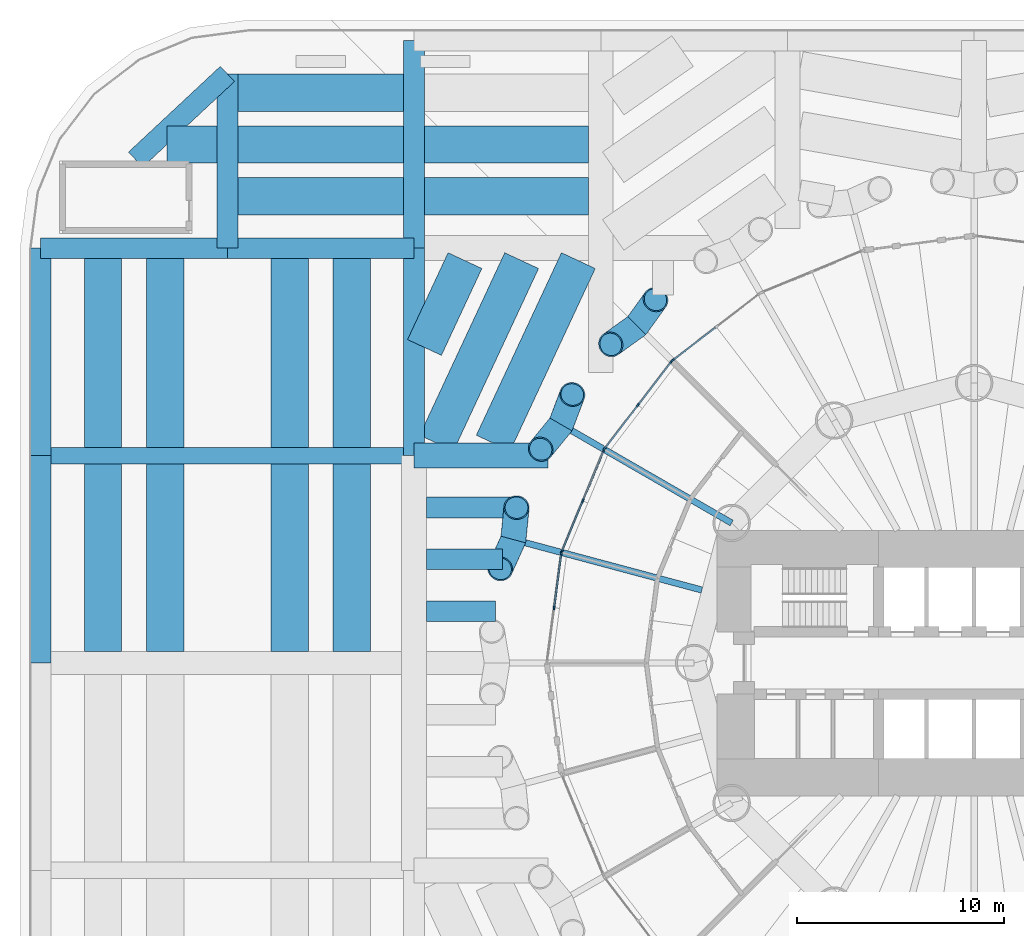
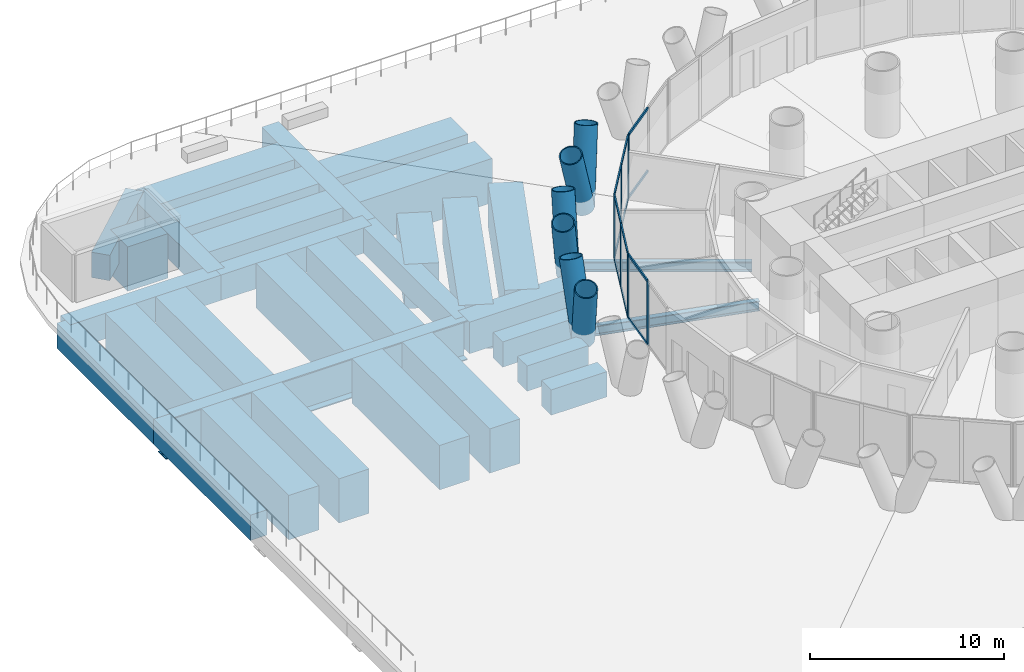
# One storey, part 5 of 19: 32 beams, 27 members, 4 elements without a shape of their own.
"""IFC4 building model written with IfcOpenShell, lengths in metres."""

from ifc_helpers import new_model, si_unit, direction, frame, origin, origin_2d, place, context, subcontext, project, spatial, rectangle, hollow_circle, i_section, extrude, material, material_profile, profile_set, type_object, element, aggregate, save


model = new_model("IFC4")

# Units and contexts
model_context = context("Model", 3, precision=1e-05, world=origin(), true_north=direction((0.0, 1.0)))
body_context = subcontext(model_context, "Body", "Model", "MODEL_VIEW")
ifc_project = project(units=[si_unit("LENGTHUNIT", "METRE"), si_unit("AREAUNIT", "SQUARE_METRE"), si_unit("VOLUMEUNIT", "CUBIC_METRE"), si_unit("PLANEANGLEUNIT", "RADIAN"), si_unit("MASSUNIT", "GRAM", prefix="KILO")], contexts=[model_context])

# Site, building, storey
site_placement = place(None, origin())
site = spatial("IfcSite", under=ifc_project, at=site_placement, CompositionType="ELEMENT")
building_placement = place(site_placement, origin())
building = spatial("IfcBuilding", under=site, at=building_placement, Name="Qaws Media Tower", CompositionType="ELEMENT")
storey_placement = place(building_placement, frame((0.0, 0.0, 26.0)))
storey = spatial("IfcBuildingStorey", under=building, at=storey_placement, Name="L04", CompositionType="ELEMENT", Elevation=26.0)

# Curtain wall, member
ifc_material_1 = material(Name="Aluminium and clear glass", Category="aluminium")
curtain_wall_type = type_object("IfcCurtainWallType", Name="Unitised curtain wall CW-A", PredefinedType="NOTDEFINED", material=ifc_material_1)
curtain_wall_1_placement = place(storey_placement, origin())
curtain_wall_1 = element("IfcCurtainWall", 1, at=curtain_wall_1_placement, inside=storey, type_object=curtain_wall_type, Name="CWA curtain wall L04-09", PredefinedType="NOTDEFINED")
ifc_material_2 = material(Name="Aluminium mullion", Category="aluminium")
ifc_material_profile_1 = material_profile(ifc_material_2, rectangle(XDim=0.080078125, YDim=0.199951171875, at=origin_2d()), Name="80x200")
ifc_profile_set_1 = profile_set([ifc_material_profile_1], Name="Aluminium mullion")
member_type_1 = type_object("IfcMemberType", Name="Curtain wall mullion 80x200", PredefinedType="MULLION", material=ifc_profile_set_1)
member_1_placement = place(storey_placement, frame((45.46533203125, 64.5908203125, 0.0), z_axis=(0.0, 0.0, 1.0), x_axis=(0.608761328178, -0.793353417662, 0.0)))
member_1 = element("IfcMember", 2, at=member_1_placement, type_object=member_type_1, Name="CWA mullion 3", PredefinedType="MULLION", context=body_context, shape_type="SweptSolid", body=[
    extrude(rectangle(XDim=0.080078125, YDim=0.199951171875, at=origin_2d()), origin(), (0.0, 0.0, 1.0), 4.0400390625),
])

# Curtain wall, members
curtain_wall_2_placement = place(storey_placement, origin())
curtain_wall_2 = element("IfcCurtainWall", 3, at=curtain_wall_2_placement, inside=storey, type_object=curtain_wall_type, Name="CWA curtain wall L04-10", PredefinedType="NOTDEFINED")
member_2_placement = place(storey_placement, frame((45.4091796875, 64.53466796875, 0.0), z_axis=(0.0, 0.0, 1.0), x_axis=(0.793353417662, -0.608761328178, 0.0)))
member_2 = element("IfcMember", 4, at=member_2_placement, type_object=member_type_1, Name="CWA mullion 1", PredefinedType="MULLION", context=body_context, shape_type="SweptSolid", body=[
    extrude(rectangle(XDim=0.080078125, YDim=0.199951171875, at=origin_2d()), origin(), (0.0, 0.0, 1.0), 4.0400390625),
])
member_3_placement = place(storey_placement, frame((43.796630859375, 62.43310546875, 0.0), z_axis=(0.0, 0.0, 1.0), x_axis=(0.793353417662, -0.608761328178, 0.0)))
member_3 = element("IfcMember", 5, at=member_3_placement, type_object=member_type_1, Name="CWA mullion 2", PredefinedType="MULLION", context=body_context, shape_type="SweptSolid", body=[
    extrude(rectangle(XDim=0.080078125, YDim=0.199951171875, at=origin_2d()), origin(), (0.0, 0.0, 1.0), 4.0400390625),
])
member_4_placement = place(storey_placement, frame((42.184326171875, 60.331787109375, 0.0), z_axis=(0.0, 0.0, 1.0), x_axis=(0.793353417662, -0.608761328178, 0.0)))
member_4 = element("IfcMember", 6, at=member_4_placement, type_object=member_type_1, Name="CWA mullion 3", PredefinedType="MULLION", context=body_context, shape_type="SweptSolid", body=[
    extrude(rectangle(XDim=0.080078125, YDim=0.199951171875, at=origin_2d()), origin(), (0.0, 0.0, 1.0), 4.0400390625),
])

curtain_wall_3_placement = place(storey_placement, origin())
curtain_wall_3 = element("IfcCurtainWall", 7, at=curtain_wall_3_placement, inside=storey, type_object=curtain_wall_type, Name="CWA curtain wall L04-11", PredefinedType="NOTDEFINED")
member_5_placement = place(storey_placement, frame((42.14453125, 60.262939453125, 0.0), z_axis=(0.0, 0.0, 1.0), x_axis=(0.923879521985, -0.382683457778, 0.0)))
member_5 = element("IfcMember", 8, at=member_5_placement, type_object=member_type_1, Name="CWA mullion 1", PredefinedType="MULLION", context=body_context, shape_type="SweptSolid", body=[
    extrude(rectangle(XDim=0.080078125, YDim=0.199951171875, at=origin_2d()), origin(), (0.0, 0.0, 1.0), 4.0400390625),
])
member_6_placement = place(storey_placement, frame((41.130859375, 57.81591796875, 0.0), z_axis=(0.0, 0.0, 1.0), x_axis=(0.923879521985, -0.382683457778, 0.0)))
member_6 = element("IfcMember", 9, at=member_6_placement, type_object=member_type_1, Name="CWA mullion 2", PredefinedType="MULLION", context=body_context, shape_type="SweptSolid", body=[
    extrude(rectangle(XDim=0.080078125, YDim=0.199951171875, at=origin_2d()), origin(), (0.0, 0.0, 1.0), 4.0400390625),
])
member_7_placement = place(storey_placement, frame((40.1171875, 55.36865234375, 0.0), z_axis=(0.0, 0.0, 1.0), x_axis=(0.923879521985, -0.382683457778, 0.0)))
member_7 = element("IfcMember", 10, at=member_7_placement, type_object=member_type_1, Name="CWA mullion 3", PredefinedType="MULLION", context=body_context, shape_type="SweptSolid", body=[
    extrude(rectangle(XDim=0.080078125, YDim=0.199951171875, at=origin_2d()), origin(), (0.0, 0.0, 1.0), 4.0400390625),
])

curtain_wall_4_placement = place(storey_placement, origin())
curtain_wall_4 = element("IfcCurtainWall", 11, at=curtain_wall_4_placement, inside=storey, type_object=curtain_wall_type, Name="CWA curtain wall L04-12", PredefinedType="NOTDEFINED")
member_8_placement = place(storey_placement, frame((40.0966796875, 55.2919921875, 0.0), z_axis=(0.0, 0.0, 1.0), x_axis=(0.991444859813, -0.130526204073, 0.0)))
member_8 = element("IfcMember", 12, at=member_8_placement, type_object=member_type_1, Name="CWA mullion 1", PredefinedType="MULLION", context=body_context, shape_type="SweptSolid", body=[
    extrude(rectangle(XDim=0.080078125, YDim=0.199951171875, at=origin_2d()), origin(), (0.0, 0.0, 1.0), 4.0400390625),
])
member_9_placement = place(storey_placement, frame((39.7509765625, 52.665771484375, 0.0), z_axis=(0.0, 0.0, 1.0), x_axis=(0.991444859813, -0.130526204073, 0.0)))
member_9 = element("IfcMember", 13, at=member_9_placement, type_object=member_type_1, Name="CWA mullion 2", PredefinedType="MULLION", context=body_context, shape_type="SweptSolid", body=[
    extrude(rectangle(XDim=0.080078125, YDim=0.199951171875, at=origin_2d()), origin(), (0.0, 0.0, 1.0), 4.0400390625),
])

# Member
ifc_material_3 = material(Name="Aluminium transom", Category="aluminium")
ifc_material_profile_2 = material_profile(ifc_material_3, rectangle(XDim=0.080078125, YDim=0.159912109375, at=origin_2d()), Name="80x160")
ifc_profile_set_2 = profile_set([ifc_material_profile_2], Name="Aluminium transom")
member_type_2 = type_object("IfcMemberType", Name="Curtain wall transom 80x160", PredefinedType="USERDEFINED", material=ifc_profile_set_2)
member_10_placement = place(storey_placement, frame((47.53515625, 66.178955078125, 0.0400390625), z_axis=(-0.793337078322, -0.608782621434, 0.0), x_axis=(0.608782621434, -0.793337078322, 0.0)))
member_10 = element("IfcMember", 14, at=member_10_placement, type_object=member_type_2, Name="CWA transom 2.1", ObjectType="TRANSOM", PredefinedType="USERDEFINED", context=body_context, shape_type="SweptSolid", body=[
    extrude(rectangle(XDim=0.080078125, YDim=0.159912109375, at=origin_2d()), origin(), (0.0, 0.0, 1.0), 2.569091796875),
])

member_11_placement = place(storey_placement, frame((47.53515625, 66.178955078125, 4.0), z_axis=(-0.793337078322, -0.608782621434, 0.0), x_axis=(0.608782621434, -0.793337078322, 0.0)))
member_11 = element("IfcMember", 15, at=member_11_placement, type_object=member_type_2, Name="CWA transom 2.2", ObjectType="TRANSOM", PredefinedType="USERDEFINED", context=body_context, shape_type="SweptSolid", body=[
    extrude(rectangle(XDim=0.080078125, YDim=0.159912109375, at=origin_2d()), origin(), (0.0, 0.0, 1.0), 2.569091796875),
])

aggregate(curtain_wall_1, [member_1, member_10, member_11])

member_12_placement = place(storey_placement, frame((45.385009765625, 64.5029296875, 0.0400390625), z_axis=(-0.608782621434, -0.793337078322, 0.0), x_axis=(0.793337078322, -0.608782621434, 0.0)))
member_12 = element("IfcMember", 16, at=member_12_placement, type_object=member_type_2, Name="CWA transom 1.1", ObjectType="TRANSOM", PredefinedType="USERDEFINED", context=body_context, shape_type="SweptSolid", body=[
    extrude(rectangle(XDim=0.080078125, YDim=0.159912109375, at=origin_2d()), origin(), (0.0, 0.0, 1.0), 2.569091796875),
])

member_13_placement = place(storey_placement, frame((45.385009765625, 64.5029296875, 4.0), z_axis=(-0.608782621434, -0.793337078322, 0.0), x_axis=(0.793337078322, -0.608782621434, 0.0)))
member_13 = element("IfcMember", 17, at=member_13_placement, type_object=member_type_2, Name="CWA transom 1.2", ObjectType="TRANSOM", PredefinedType="USERDEFINED", context=body_context, shape_type="SweptSolid", body=[
    extrude(rectangle(XDim=0.080078125, YDim=0.159912109375, at=origin_2d()), origin(), (0.0, 0.0, 1.0), 2.569091796875),
])

member_14_placement = place(storey_placement, frame((43.7724609375, 62.4013671875, 0.0400390625), z_axis=(-0.608828522039, -0.793301853491, 0.0), x_axis=(0.793301853491, -0.608828522039, 0.0)))
member_14 = element("IfcMember", 18, at=member_14_placement, type_object=member_type_2, Name="CWA transom 2.1", ObjectType="TRANSOM", PredefinedType="USERDEFINED", context=body_context, shape_type="SweptSolid", body=[
    extrude(rectangle(XDim=0.080078125, YDim=0.159912109375, at=origin_2d()), origin(), (0.0, 0.0, 1.0), 2.56884765625),
])

member_15_placement = place(storey_placement, frame((43.7724609375, 62.4013671875, 4.0), z_axis=(-0.608828522039, -0.793301853491, 0.0), x_axis=(0.793301853491, -0.608828522039, 0.0)))
member_15 = element("IfcMember", 19, at=member_15_placement, type_object=member_type_2, Name="CWA transom 2.2", ObjectType="TRANSOM", PredefinedType="USERDEFINED", context=body_context, shape_type="SweptSolid", body=[
    extrude(rectangle(XDim=0.080078125, YDim=0.159912109375, at=origin_2d()), origin(), (0.0, 0.0, 1.0), 2.56884765625),
])

aggregate(curtain_wall_2, [member_2, member_3, member_4, member_12, member_13, member_14, member_15])

member_16_placement = place(storey_placement, frame((42.129150390625, 60.22607421875, 0.0400390625), z_axis=(-0.382637188535, -0.923898685977, 0.0), x_axis=(0.923898685977, -0.382637188535, 0.0)))
member_16 = element("IfcMember", 20, at=member_16_placement, type_object=member_type_2, Name="CWA transom 1.1", ObjectType="TRANSOM", PredefinedType="USERDEFINED", context=body_context, shape_type="SweptSolid", body=[
    extrude(rectangle(XDim=0.080078125, YDim=0.159912109375, at=origin_2d()), origin(), (0.0, 0.0, 1.0), 2.56884765625),
])

member_17_placement = place(storey_placement, frame((42.129150390625, 60.22607421875, 4.0), z_axis=(-0.382637188535, -0.923898685977, 0.0), x_axis=(0.923898685977, -0.382637188535, 0.0)))
member_17 = element("IfcMember", 21, at=member_17_placement, type_object=member_type_2, Name="CWA transom 1.2", ObjectType="TRANSOM", PredefinedType="USERDEFINED", context=body_context, shape_type="SweptSolid", body=[
    extrude(rectangle(XDim=0.080078125, YDim=0.159912109375, at=origin_2d()), origin(), (0.0, 0.0, 1.0), 2.56884765625),
])

member_18_placement = place(storey_placement, frame((41.115478515625, 57.77880859375, 0.0400390625), z_axis=(-0.382637188535, -0.923898685977, 0.0), x_axis=(0.923898685977, -0.382637188535, 0.0)))
member_18 = element("IfcMember", 22, at=member_18_placement, type_object=member_type_2, Name="CWA transom 2.1", ObjectType="TRANSOM", PredefinedType="USERDEFINED", context=body_context, shape_type="SweptSolid", body=[
    extrude(rectangle(XDim=0.080078125, YDim=0.159912109375, at=origin_2d()), origin(), (0.0, 0.0, 1.0), 2.56884765625),
])

member_19_placement = place(storey_placement, frame((41.115478515625, 57.77880859375, 4.0), z_axis=(-0.382637188535, -0.923898685977, 0.0), x_axis=(0.923898685977, -0.382637188535, 0.0)))
member_19 = element("IfcMember", 23, at=member_19_placement, type_object=member_type_2, Name="CWA transom 2.2", ObjectType="TRANSOM", PredefinedType="USERDEFINED", context=body_context, shape_type="SweptSolid", body=[
    extrude(rectangle(XDim=0.080078125, YDim=0.159912109375, at=origin_2d()), origin(), (0.0, 0.0, 1.0), 2.56884765625),
])

aggregate(curtain_wall_3, [member_5, member_6, member_7, member_16, member_17, member_18, member_19])

member_20_placement = place(storey_placement, frame((40.091552734375, 55.25244140625, 0.0400390625), z_axis=(-0.130582350348, -0.991437466398, 0.0), x_axis=(0.991437466398, -0.130582350348, 0.0)))
member_20 = element("IfcMember", 24, at=member_20_placement, type_object=member_type_2, Name="CWA transom 1.1", ObjectType="TRANSOM", PredefinedType="USERDEFINED", context=body_context, shape_type="SweptSolid", body=[
    extrude(rectangle(XDim=0.080078125, YDim=0.159912109375, at=origin_2d()), origin(), (0.0, 0.0, 1.0), 2.56884765625),
])

member_21_placement = place(storey_placement, frame((40.091552734375, 55.25244140625, 4.0), z_axis=(-0.130582350348, -0.991437466398, 0.0), x_axis=(0.991437466398, -0.130582350348, 0.0)))
member_21 = element("IfcMember", 25, at=member_21_placement, type_object=member_type_2, Name="CWA transom 1.2", ObjectType="TRANSOM", PredefinedType="USERDEFINED", context=body_context, shape_type="SweptSolid", body=[
    extrude(rectangle(XDim=0.080078125, YDim=0.159912109375, at=origin_2d()), origin(), (0.0, 0.0, 1.0), 2.56884765625),
])

aggregate(curtain_wall_4, [member_8, member_9, member_20, member_21])

# Members
ifc_material_4 = material(Name="Steel S460", Category="steel")
ifc_material_profile_3 = material_profile(ifc_material_4, hollow_circle(Radius=0.609619140625, WallThickness=0.06005859375, at=origin_2d()), Name="CHS 1219x60")
ifc_profile_set_3 = profile_set([ifc_material_profile_3], Name="Steel S460")
member_type_3 = type_object("IfcMemberType", Name="Diagrid member CHS 1219x60", PredefinedType="USERDEFINED", material=ifc_profile_set_3)
for number, where, z_axis, x_axis, name in (
    (26, (43.736572265625, 66.263427734375, -0.909912109375), (-0.280321331697, -0.201266133248, 0.938569067572), (0.583225507839, -0.812310289856, 0.0), "DG1 diagrid L04 A10"),
    (27, (43.736572265625, 66.263427734375, -0.909912109375), (0.201266133248, 0.280321331697, 0.938569067572), (-0.812310289856, 0.583225507839, 0.0), "DG1 diagrid L04 B10"),
    (28, (40.081298828125, 61.5, -0.909912109375), (-0.218671012683, -0.266955405454, 0.93857221337), (0.77359792083, -0.633676776351, 0.0), "DG1 diagrid L04 A11"),
    (29, (40.081298828125, 61.5, -0.909912109375), (0.121882547389, 0.322874178804, 0.938561084482), (-0.935560331007, 0.353166911029, 0.0), "DG1 diagrid L04 B11"),
    (30, (37.78369140625, 55.952880859375, -0.909912109375), (-0.142124356415, -0.314474007821, 0.938566335279), (0.911257699186, -0.411836624979, 0.0), "DG1 diagrid L04 A12"),
    (31, (37.78369140625, 55.952880859375, -0.909912109375), (0.034153665458, 0.343391645998, 0.938571097251), (-0.99509027013, 0.098971482221, 0.0), "DG1 diagrid L04 B12"),
):
    element("IfcMember", number, at=place(storey_placement, frame(where, z_axis=z_axis, x_axis=x_axis)), inside=storey, type_object=member_type_3, Name=name, ObjectType="DIAGRID", PredefinedType="USERDEFINED", context=body_context, shape_type="SweptSolid", body=[
        extrude(hollow_circle(Radius=0.609619140625, WallThickness=0.06005859375, at=origin_2d()), origin(), (0.0, 0.0, 1.0), 4.474853515625),
    ])

# Beams
ifc_material_5 = material(Name="Concrete C60/75", Category="concrete")
ifc_material_profile_4 = material_profile(ifc_material_5, rectangle(XDim=1.0, YDim=1.60009765625, at=origin_2d()), Name="RC 1000x1600")
ifc_profile_set_4 = profile_set([ifc_material_profile_4], Name="Concrete C60/75")
beam_type_1 = type_object("IfcBeamType", Name="Podium roof girder RC 1000x1600", PredefinedType="BEAM", material=ifc_profile_set_4)
for number, where, z_axis, x_axis, name in (
    (32, (15.0, 70.0, -1.10009765625), (1.0, 0.0, 0.0), (0.0, 1.0, 0.0), "PB10 beam 1-2/F"),
    (33, (24.0, 70.0, -1.10009765625), (1.0, 0.0, 0.0), (0.0, 1.0, 0.0), "PB10 beam 2-3/F"),
):
    element("IfcBeam", number, at=place(storey_placement, frame(where, z_axis=z_axis, x_axis=x_axis)), inside=storey, type_object=beam_type_1, Name=name, PredefinedType="BEAM", context=body_context, shape_type="SweptSolid", body=[
        extrude(rectangle(XDim=1.0, YDim=1.60009765625, at=origin_2d()), origin(), (0.0, 0.0, 1.0), 9.0),
    ])
for number, where, z_axis, x_axis, name in (
    (34, (15.0, 50.0, -1.10009765625), (0.0, 1.0, 0.0), (-1.0, 0.0, 0.0), "PB10 beam 1/D-E"),
    (35, (15.0, 60.0, -1.10009765625), (0.0, 1.0, 0.0), (-1.0, 0.0, 0.0), "PB10 beam 1/E-F"),
):
    element("IfcBeam", number, at=place(storey_placement, frame(where, z_axis=z_axis, x_axis=x_axis)), inside=storey, type_object=beam_type_1, Name=name, PredefinedType="BEAM", context=body_context, shape_type="SweptSolid", body=[
        extrude(rectangle(XDim=1.0, YDim=1.60009765625, at=origin_2d()), origin(), (0.0, 0.0, 1.0), 10.0),
    ])
beam_1_placement = place(storey_placement, frame((24.0, 70.0, -1.10009765625), z_axis=(0.0, 1.0, 0.0), x_axis=(-1.0, 0.0, 0.0)))
element("IfcBeam", 36, at=beam_1_placement, inside=storey, type_object=beam_type_1, Name="PB10 beam 2/F-G", PredefinedType="BEAM", context=body_context, shape_type="SweptSolid", body=[
    extrude(rectangle(XDim=1.0, YDim=1.60009765625, at=origin_2d()), origin(), (0.0, 0.0, 1.0), 8.39990234375),
])
for number, where, z_axis, x_axis, name in (
    (37, (33.0, 60.0, -1.10009765625), (0.0, 1.0, 0.0), (-1.0, 0.0, 0.0), "PB10 beam 3/E-F"),
    (38, (33.0, 70.0, -1.10009765625), (0.0, 1.0, 0.0), (-1.0, 0.0, 0.0), "PB10 beam 3/F-G"),
):
    element("IfcBeam", number, at=place(storey_placement, frame(where, z_axis=z_axis, x_axis=x_axis)), inside=storey, type_object=beam_type_1, Name=name, PredefinedType="BEAM", context=body_context, shape_type="SweptSolid", body=[
        extrude(rectangle(XDim=1.0, YDim=1.60009765625, at=origin_2d()), origin(), (0.0, 0.0, 1.0), 10.0),
    ])
beam_2_placement = place(storey_placement, frame((19.5732421875, 74.268310546875, -1.10009765625), z_axis=(0.731059290527, 0.682313940745, 0.0), x_axis=(-0.682313940745, 0.731059290527, 0.0)))
element("IfcBeam", 39, at=beam_2_placement, inside=storey, type_object=beam_type_1, Name="PB10 beam S3-2/G", PredefinedType="BEAM", context=body_context, shape_type="SweptSolid", body=[
    extrude(rectangle(XDim=1.0, YDim=1.60009765625, at=origin_2d()), origin(), (0.0, 0.0, 1.0), 6.05517578125),
])
ifc_material_6 = material(Name="Concrete C60/75", Category="concrete")
ifc_material_profile_5 = material_profile(ifc_material_6, rectangle(XDim=1.0, YDim=1.60009765625, at=origin_2d()), Name="RC 1000x1600")
ifc_profile_set_5 = profile_set([ifc_material_profile_5], Name="Concrete C60/75")
beam_type_2 = type_object("IfcBeamType", Name="Podium roof ring secondary beam RC 1000x1600", PredefinedType="BEAM", material=ifc_profile_set_5)
beam_3_placement = place(storey_placement, frame((33.60009765625, 52.5, -1.10009765625), z_axis=(1.0, 0.0, 0.0), x_axis=(0.0, 1.0, 0.0)))
element("IfcBeam", 40, at=beam_3_placement, inside=storey, type_object=beam_type_2, Name="PB13 beam bay 3D line 1", PredefinedType="BEAM", context=body_context, shape_type="SweptSolid", body=[
    extrude(rectangle(XDim=1.0, YDim=1.60009765625, at=origin_2d()), origin(), (0.0, 0.0, 1.0), 3.32568359375),
])
beam_4_placement = place(storey_placement, frame((33.60009765625, 55.0, -1.10009765625), z_axis=(1.0, 0.0, 0.0), x_axis=(0.0, 1.0, 0.0)))
element("IfcBeam", 41, at=beam_4_placement, inside=storey, type_object=beam_type_2, Name="PB13 beam bay 3D line 2", PredefinedType="BEAM", context=body_context, shape_type="SweptSolid", body=[
    extrude(rectangle(XDim=1.0, YDim=1.60009765625, at=origin_2d()), origin(), (0.0, 0.0, 1.0), 3.65478515625),
])
beam_5_placement = place(storey_placement, frame((33.60009765625, 57.5, -1.10009765625), z_axis=(1.0, 0.0, 0.0), x_axis=(0.0, 1.0, 0.0)))
element("IfcBeam", 42, at=beam_5_placement, inside=storey, type_object=beam_type_2, Name="PB13 beam bay 3D line 3", PredefinedType="BEAM", context=body_context, shape_type="SweptSolid", body=[
    extrude(rectangle(XDim=1.0, YDim=1.60009765625, at=origin_2d()), origin(), (0.0, 0.0, 1.0), 4.3916015625),
])
ifc_material_7 = material(Name="Concrete C60/75", Category="concrete")
ifc_material_profile_6 = material_profile(ifc_material_7, rectangle(XDim=1.800048828125, YDim=2.800048828125, at=origin_2d()), Name="RC 1800x2800")
ifc_profile_set_6 = profile_set([ifc_material_profile_6], Name="Concrete C60/75")
beam_type_3 = type_object("IfcBeamType", Name="Podium roof secondary beam RC 1800x2800", PredefinedType="BEAM", material=ifc_profile_set_6)
for number, where, z_axis, x_axis, name in (
    (43, (21.0, 50.550048828125, -1.699951171875), (0.0, 1.0, 0.0), (-1.0, 0.0, 0.0), "PB8 beam bay 1D line 1"),
    (44, (18.0, 50.550048828125, -1.699951171875), (0.0, 1.0, 0.0), (-1.0, 0.0, 0.0), "PB8 beam bay 1D line 2"),
):
    element("IfcBeam", number, at=place(storey_placement, frame(where, z_axis=z_axis, x_axis=x_axis)), inside=storey, type_object=beam_type_3, Name=name, PredefinedType="BEAM", context=body_context, shape_type="SweptSolid", body=[
        extrude(rectangle(XDim=1.800048828125, YDim=2.800048828125, at=origin_2d()), origin(), (0.0, 0.0, 1.0), 9.050048828125),
    ])
for number, where, z_axis, x_axis, name in (
    (45, (21.0, 60.39990234375, -1.699951171875), (0.0, 1.0, 0.0), (-1.0, 0.0, 0.0), "PB8 beam bay 1E line 1"),
    (46, (18.0, 60.39990234375, -1.699951171875), (0.0, 1.0, 0.0), (-1.0, 0.0, 0.0), "PB8 beam bay 1E line 2"),
):
    element("IfcBeam", number, at=place(storey_placement, frame(where, z_axis=z_axis, x_axis=x_axis)), inside=storey, type_object=beam_type_3, Name=name, PredefinedType="BEAM", context=body_context, shape_type="SweptSolid", body=[
        extrude(rectangle(XDim=1.800048828125, YDim=2.800048828125, at=origin_2d()), origin(), (0.0, 0.0, 1.0), 9.10009765625),
    ])
beam_6_placement = place(storey_placement, frame((21.08984375, 75.0, -1.699951171875), z_axis=(1.0, 0.0, 0.0), x_axis=(0.0, 1.0, 0.0)))
element("IfcBeam", 47, at=beam_6_placement, inside=storey, type_object=beam_type_3, Name="PB8 beam bay 1F line 1", PredefinedType="BEAM", context=body_context, shape_type="SweptSolid", body=[
    extrude(rectangle(XDim=1.800048828125, YDim=2.800048828125, at=origin_2d()), origin(), (0.0, 0.0, 1.0), 2.41015625),
])
for number, where, z_axis, x_axis, name in (
    (48, (30.0, 50.550048828125, -1.699951171875), (0.0, 1.0, 0.0), (-1.0, 0.0, 0.0), "PB8 beam bay 2D line 1"),
    (49, (27.0, 50.550048828125, -1.699951171875), (0.0, 1.0, 0.0), (-1.0, 0.0, 0.0), "PB8 beam bay 2D line 2"),
):
    element("IfcBeam", number, at=place(storey_placement, frame(where, z_axis=z_axis, x_axis=x_axis)), inside=storey, type_object=beam_type_3, Name=name, PredefinedType="BEAM", context=body_context, shape_type="SweptSolid", body=[
        extrude(rectangle(XDim=1.800048828125, YDim=2.800048828125, at=origin_2d()), origin(), (0.0, 0.0, 1.0), 9.050048828125),
    ])
for number, where, z_axis, x_axis, name in (
    (50, (30.0, 60.39990234375, -1.699951171875), (0.0, 1.0, 0.0), (-1.0, 0.0, 0.0), "PB8 beam bay 2E line 1"),
    (51, (27.0, 60.39990234375, -1.699951171875), (0.0, 1.0, 0.0), (-1.0, 0.0, 0.0), "PB8 beam bay 2E line 2"),
):
    element("IfcBeam", number, at=place(storey_placement, frame(where, z_axis=z_axis, x_axis=x_axis)), inside=storey, type_object=beam_type_3, Name=name, PredefinedType="BEAM", context=body_context, shape_type="SweptSolid", body=[
        extrude(rectangle(XDim=1.800048828125, YDim=2.800048828125, at=origin_2d()), origin(), (0.0, 0.0, 1.0), 9.10009765625),
    ])
for number, where, z_axis, x_axis, name in (
    (52, (24.5, 72.5, -1.699951171875), (1.0, 0.0, 0.0), (0.0, 1.0, 0.0), "PB8 beam bay 2F line 1"),
    (53, (24.5, 75.0, -1.699951171875), (1.0, 0.0, 0.0), (0.0, 1.0, 0.0), "PB8 beam bay 2F line 2"),
    (54, (24.5, 77.5, -1.699951171875), (1.0, 0.0, 0.0), (0.0, 1.0, 0.0), "PB8 beam bay 2F line 3"),
):
    element("IfcBeam", number, at=place(storey_placement, frame(where, z_axis=z_axis, x_axis=x_axis)), inside=storey, type_object=beam_type_3, Name=name, PredefinedType="BEAM", context=body_context, shape_type="SweptSolid", body=[
        extrude(rectangle(XDim=1.800048828125, YDim=2.800048828125, at=origin_2d()), origin(), (0.0, 0.0, 1.0), 8.0),
    ])
for number, where, z_axis, x_axis, name in (
    (55, (36.814453125, 60.60009765625, -1.699951171875), (0.422626662909, 0.90630386946, 0.0), (-0.90630386946, 0.422626662909, 0.0), "PB8 beam bay 3E line 1"),
    (56, (34.08203125, 60.60009765625, -1.699951171875), (0.422626662909, 0.90630386946, 0.0), (-0.90630386946, 0.422626662909, 0.0), "PB8 beam bay 3E line 2"),
):
    element("IfcBeam", number, at=place(storey_placement, frame(where, z_axis=z_axis, x_axis=x_axis)), inside=storey, type_object=beam_type_3, Name=name, PredefinedType="BEAM", context=body_context, shape_type="SweptSolid", body=[
        extrude(rectangle(XDim=1.800048828125, YDim=2.800048828125, at=origin_2d()), origin(), (0.0, 0.0, 1.0), 9.70947265625),
    ])
beam_7_placement = place(storey_placement, frame((33.5, 65.212158203125, -1.699951171875), z_axis=(0.422636695066, 0.906299191208, 0.0), x_axis=(-0.906299191208, 0.422636695066, 0.0)))
element("IfcBeam", 57, at=beam_7_placement, inside=storey, type_object=beam_type_3, Name="PB8 beam bay 3E line 3", PredefinedType="BEAM", context=body_context, shape_type="SweptSolid", body=[
    extrude(rectangle(XDim=1.800048828125, YDim=2.800048828125, at=origin_2d()), origin(), (0.0, 0.0, 1.0), 4.62060546875),
])
for number, where, z_axis, x_axis, name in (
    (58, (33.5, 72.5, -1.699951171875), (1.0, 0.0, 0.0), (0.0, 1.0, 0.0), "PB8 beam bay 3F line 1"),
    (59, (33.5, 75.0, -1.699951171875), (1.0, 0.0, 0.0), (0.0, 1.0, 0.0), "PB8 beam bay 3F line 2"),
):
    element("IfcBeam", number, at=place(storey_placement, frame(where, z_axis=z_axis, x_axis=x_axis)), inside=storey, type_object=beam_type_3, Name=name, PredefinedType="BEAM", context=body_context, shape_type="SweptSolid", body=[
        extrude(rectangle(XDim=1.800048828125, YDim=2.800048828125, at=origin_2d()), origin(), (0.0, 0.0, 1.0), 7.89990234375),
    ])
ifc_material_8 = material(Name="Concrete C60/75", Category="concrete")
ifc_material_profile_7 = material_profile(ifc_material_8, rectangle(XDim=1.199951171875, YDim=2.0, at=origin_2d()), Name="RC 1200x2000")
ifc_profile_set_7 = profile_set([ifc_material_profile_7], Name="Concrete C60/75")
beam_type_4 = type_object("IfcBeamType", Name="Podium trimmer beam RC 1200x2000", PredefinedType="BEAM", material=ifc_profile_set_7)
beam_8_placement = place(storey_placement, frame((33.0, 60.0, -1.300048828125), z_axis=(1.0, 0.0, 0.0), x_axis=(0.0, 1.0, 0.0)))
element("IfcBeam", 60, at=beam_8_placement, inside=storey, type_object=beam_type_4, Name="PB4 beam 3/E to the tower ring", PredefinedType="BEAM", context=body_context, shape_type="SweptSolid", body=[
    extrude(rectangle(XDim=1.199951171875, YDim=2.0, at=origin_2d()), origin(), (0.0, 0.0, 1.0), 6.460205078125),
])
ifc_material_9 = material(Name="Steel S355", Category="steel")
ifc_material_profile_8 = material_profile(ifc_material_9, i_section(OverallWidth=0.304931640625, OverallDepth=0.6201171875, WebThickness=0.02099609375, FlangeThickness=0.0400390625, FilletRadius=0.027099609375, at=origin_2d()), Name="HE 600 M")
ifc_profile_set_8 = profile_set([ifc_material_profile_8], Name="Steel S355")
beam_type_5 = type_object("IfcBeamType", Name="Radial beam HE 600 M", PredefinedType="BEAM", material=ifc_profile_set_8)
beam_9_placement = place(storey_placement, frame((48.30859375, 56.75, -0.469970703125), z_axis=(-0.86602681393, 0.499997557548, 0.0), x_axis=(-0.499997557548, -0.86602681393, 0.0)))
element("IfcBeam", 61, at=beam_9_placement, inside=storey, type_object=beam_type_5, Name="B1 radial beam L04 11", PredefinedType="BEAM", context=body_context, shape_type="SweptSolid", body=[
    extrude(i_section(OverallWidth=0.304931640625, OverallDepth=0.6201171875, WebThickness=0.02099609375, FlangeThickness=0.0400390625, FilletRadius=0.027099609375, at=origin_2d()), origin(), (0.0, 0.0, 1.0), 9.5),
])
beam_10_placement = place(storey_placement, frame((46.873046875, 53.517333984375, -0.469970703125), z_axis=(-0.965924194565, 0.258825134703, 0.0), x_axis=(-0.258825134703, -0.965924194565, 0.0)))
element("IfcBeam", 62, at=beam_10_placement, inside=storey, type_object=beam_type_5, Name="B1 radial beam L04 12", PredefinedType="BEAM", context=body_context, shape_type="SweptSolid", body=[
    extrude(i_section(OverallWidth=0.304931640625, OverallDepth=0.6201171875, WebThickness=0.02099609375, FlangeThickness=0.0400390625, FilletRadius=0.027099609375, at=origin_2d()), origin(), (0.0, 0.0, 1.0), 9.409912109375),
])
ifc_material_10 = material(Name="Steel S355", Category="steel")
ifc_material_profile_9 = material_profile(ifc_material_10, i_section(OverallWidth=0.800048828125, OverallDepth=2.5, WebThickness=0.030029296875, FlangeThickness=0.06494140625, at=origin_2d()), Name="PG 2500x800")
ifc_profile_set_9 = profile_set([ifc_material_profile_9], Name="Steel S355")
beam_type_6 = type_object("IfcBeamType", Name="Studio girder PG 2500x800", PredefinedType="BEAM", material=ifc_profile_set_9)
beam_11_placement = place(storey_placement, frame((15.0, 60.0, -1.550048828125), z_axis=(1.0, 0.0, 0.0), x_axis=(0.0, 1.0, 0.0)))
element("IfcBeam", 63, at=beam_11_placement, inside=storey, type_object=beam_type_6, Name="SG1 studio A girder on grid E", PredefinedType="BEAM", context=body_context, shape_type="SweptSolid", body=[
    extrude(i_section(OverallWidth=0.800048828125, OverallDepth=2.5, WebThickness=0.030029296875, FlangeThickness=0.06494140625, at=origin_2d()), origin(), (0.0, 0.0, 1.0), 18.0),
])

save(model, "model.ifc")
